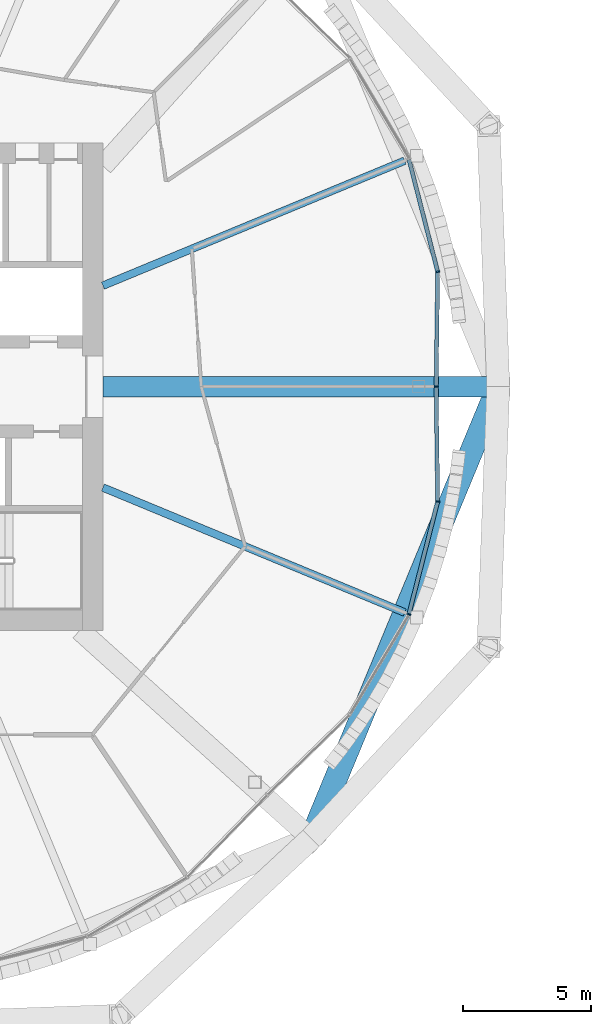
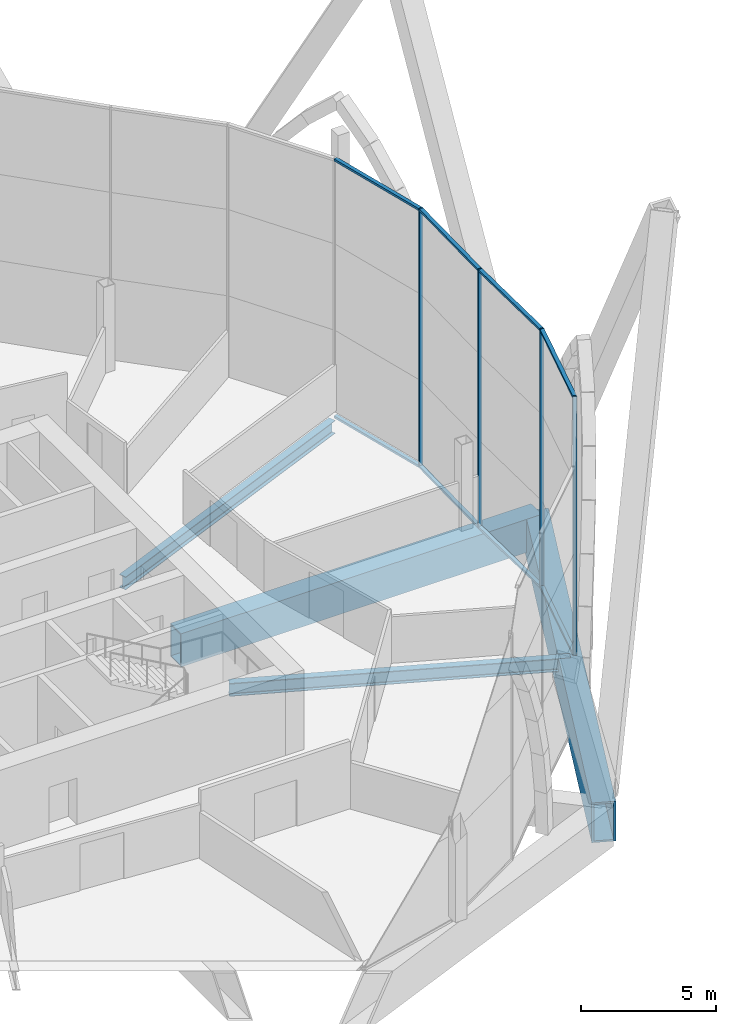
# One storey, part 8 of 37: 12 members, 4 beams, 2 elements without a shape of their own.
"""IFC4 building model written with IfcOpenShell, lengths in metres."""

from ifc_helpers import new_model, si_unit, direction, frame, origin, origin_2d, place, context, subcontext, project, spatial, rectangle, hollow_rectangle, i_section, extrude, material, material_profile, profile_set, type_object, element, aggregate, save


model = new_model("IFC4")

# Units and contexts
model_context = context("Model", 3, precision=1e-05, world=origin(), true_north=direction((0.0, 1.0)))
body_context = subcontext(model_context, "Body", "Model", "MODEL_VIEW")
ifc_project = project(units=[si_unit("LENGTHUNIT", "METRE"), si_unit("AREAUNIT", "SQUARE_METRE"), si_unit("VOLUMEUNIT", "CUBIC_METRE"), si_unit("PLANEANGLEUNIT", "RADIAN"), si_unit("MASSUNIT", "GRAM", prefix="KILO")], contexts=[model_context])

# Site, building, storey
site_placement = place(None, origin())
site = spatial("IfcSite", under=ifc_project, at=site_placement, CompositionType="ELEMENT")
building_placement = place(site_placement, origin())
building = spatial("IfcBuilding", under=site, at=building_placement, Name="Ogive Gate Towers", CompositionType="ELEMENT")
storey_placement = place(building_placement, frame((0.0, 0.0, 32.39990234375)))
storey = spatial("IfcBuildingStorey", under=building, at=storey_placement, Name="L06", CompositionType="ELEMENT", Elevation=32.39990234375)

# Beams
ifc_material_1 = material(Name="Steel SM460", Category="steel")
ifc_material_profile_1 = material_profile(ifc_material_1, hollow_rectangle(XDim=0.89990234375, YDim=1.800048828125, WallThickness=0.080078125, at=origin_2d()), Name="BX 1800x900x80")
ifc_profile_set_1 = profile_set([ifc_material_profile_1], Name="Steel SM460")
beam_type_1 = type_object("IfcBeamType", Name="Edge girder BX 1800x900x80", PredefinedType="BEAM", material=ifc_profile_set_1)
beam_1_placement = place(storey_placement, frame((-18.385986328125, -17.614013671875, -1.199951171875), z_axis=(0.382680526191, 0.923880736283, 0.0), x_axis=(-0.923880736283, 0.382680526191, 0.0)))
element("IfcBeam", 1, at=beam_1_placement, inside=storey, type_object=beam_type_1, Name="T1/L06/SBM019", PredefinedType="BEAM", context=body_context, shape_type="SweptSolid", body=[
    extrude(hollow_rectangle(XDim=0.89990234375, YDim=1.800048828125, WallThickness=0.080078125, at=origin_2d()), origin(), (0.0, 0.0, 1.0), 19.065185546875),
])
ifc_material_2 = material(Name="Steel SM355", Category="steel")
ifc_material_profile_2 = material_profile(ifc_material_2, i_section(OverallWidth=0.300048828125, OverallDepth=0.590087890625, WebThickness=0.012939453125, FlangeThickness=0.02490234375, FilletRadius=0.027099609375, at=origin_2d()), Name="HE 600 A")
ifc_profile_set_2 = profile_set([ifc_material_profile_2], Name="Steel SM355")
beam_type_2 = type_object("IfcBeamType", Name="Radial floor beam HE 600 A", PredefinedType="BEAM", material=ifc_profile_set_2)
for number, where, z_axis, x_axis, name in (
    (2, (-26.5, -3.93505859375, -0.594970703125), (0.923876595354, -0.382690523214, 0.0), (0.382690523214, 0.923876595354, 0.0), "T1/L06/SBM006"),
    (3, (-26.5, 3.93505859375, -0.594970703125), (0.923876595354, 0.382690523214, 0.0), (-0.382690523214, 0.923876595354, 0.0), "T1/L06/SBM008"),
):
    element("IfcBeam", number, at=place(storey_placement, frame(where, z_axis=z_axis, x_axis=x_axis)), inside=storey, type_object=beam_type_2, Name=name, PredefinedType="BEAM", context=body_context, shape_type="SweptSolid", body=[
        extrude(i_section(OverallWidth=0.300048828125, OverallDepth=0.590087890625, WebThickness=0.012939453125, FlangeThickness=0.02490234375, FilletRadius=0.027099609375, at=origin_2d()), origin(), (0.0, 0.0, 1.0), 12.731201171875),
    ])

# Curtain wall, members
ifc_material_3 = material(Name="Pale metal aluminium", Category="aluminium")
curtain_wall_type = type_object("IfcCurtainWallType", Name="Tower unitised wall, low zone", PredefinedType="NOTDEFINED", material=ifc_material_3)
curtain_wall_1_placement = place(storey_placement, origin())
curtain_wall_1 = element("IfcCurtainWall", 4, at=curtain_wall_1_placement, inside=storey, type_object=curtain_wall_type, Name="CW1 T1 ECW01", PredefinedType="NOTDEFINED")
ifc_material_profile_3 = material_profile(ifc_material_3, rectangle(XDim=0.159912109375, YDim=0.06005859375, at=origin_2d()), Name="60 x 160 aluminium box")
ifc_profile_set_3 = profile_set([ifc_material_profile_3], Name="Pale metal aluminium")
member_type_1 = type_object("IfcMemberType", Name="Tower unitised wall, low zone mullion 60 x 160", PredefinedType="MULLION", material=ifc_profile_set_3)
member_1_placement = place(storey_placement, frame((-13.510009765625, 0.000244140625, -0.2998046875), z_axis=(0.0, 0.0, 1.0), x_axis=(0.999910399799, -0.013386275544, 0.0)))
member_1 = element("IfcMember", 5, at=member_1_placement, type_object=member_type_1, Name="CW1 mullion", PredefinedType="MULLION", context=body_context, shape_type="SweptSolid", body=[
    extrude(rectangle(XDim=0.159912109375, YDim=0.06005859375, at=origin_2d()), origin(), (0.0, 0.0, 1.0), 11.699951171875),
])
member_2_placement = place(storey_placement, frame((-13.449951171875, 4.47900390625, -0.2998046875), z_axis=(0.0, 0.0, 1.0), x_axis=(0.992984094708, 0.118247992189, 0.0)))
member_2 = element("IfcMember", 6, at=member_2_placement, type_object=member_type_1, Name="CW1 mullion", PredefinedType="MULLION", context=body_context, shape_type="SweptSolid", body=[
    extrude(rectangle(XDim=0.159912109375, YDim=0.06005859375, at=origin_2d()), origin(), (0.0, 0.0, 1.0), 11.699951171875),
])

curtain_wall_2_placement = place(storey_placement, origin())
curtain_wall_2 = element("IfcCurtainWall", 7, at=curtain_wall_2_placement, inside=storey, type_object=curtain_wall_type, Name="CW1 T1 ECW08", PredefinedType="NOTDEFINED")
member_3_placement = place(storey_placement, frame((-14.57421875, -8.874755859375, -0.2998046875), z_axis=(0.0, 0.0, 1.0), x_axis=(0.923879532511, -0.382683432365, 0.0)))
member_3 = element("IfcMember", 8, at=member_3_placement, type_object=member_type_1, Name="CW1 mullion", PredefinedType="MULLION", context=body_context, shape_type="SweptSolid", body=[
    extrude(rectangle(XDim=0.159912109375, YDim=0.06005859375, at=origin_2d()), origin(), (0.0, 0.0, 1.0), 11.699951171875),
])
member_4_placement = place(storey_placement, frame((-13.449951171875, -4.47900390625, -0.2998046875), z_axis=(0.0, 0.0, 1.0), x_axis=(0.992984094708, -0.118247992189, 0.0)))
member_4 = element("IfcMember", 9, at=member_4_placement, type_object=member_type_1, Name="CW1 mullion", PredefinedType="MULLION", context=body_context, shape_type="SweptSolid", body=[
    extrude(rectangle(XDim=0.159912109375, YDim=0.06005859375, at=origin_2d()), origin(), (0.0, 0.0, 1.0), 11.699951171875),
])

# Member
ifc_material_profile_4 = material_profile(ifc_material_3, rectangle(XDim=0.159912109375, YDim=0.10009765625, at=origin_2d()), Name="100 x 160 aluminium box")
ifc_profile_set_4 = profile_set([ifc_material_profile_4], Name="Pale metal aluminium")
member_type_2 = type_object("IfcMemberType", Name="Tower unitised wall, low zone transom 100 x 160", PredefinedType="USERDEFINED", material=ifc_profile_set_4)
member_5_placement = place(storey_placement, frame((-13.509521484375, 0.0302734375, 11.35009765625), z_axis=(0.013361590097, 0.99991072997, 0.0), x_axis=(-0.99991072997, 0.013361590097, 0.0)))
member_5 = element("IfcMember", 10, at=member_5_placement, type_object=member_type_2, Name="CW1 transom", ObjectType="TRANSOM", PredefinedType="USERDEFINED", context=body_context, shape_type="SweptSolid", body=[
    extrude(rectangle(XDim=0.159912109375, YDim=0.10009765625, at=origin_2d()), origin(), (0.0, 0.0, 1.0), 4.421875),
])

member_6_placement = place(storey_placement, frame((-13.509521484375, 0.0302734375, -0.25), z_axis=(0.013361590097, 0.99991072997, 0.0), x_axis=(-0.99991072997, 0.013361590097, 0.0)))
member_6 = element("IfcMember", 11, at=member_6_placement, type_object=member_type_2, Name="CW1 transom", ObjectType="TRANSOM", PredefinedType="USERDEFINED", context=body_context, shape_type="SweptSolid", body=[
    extrude(rectangle(XDim=0.159912109375, YDim=0.10009765625, at=origin_2d()), origin(), (0.0, 0.0, 1.0), 4.421875),
])

member_7_placement = place(storey_placement, frame((-13.456787109375, 4.505615234375, 11.35009765625), z_axis=(-0.24781185132, 0.968808178302, 0.0), x_axis=(-0.968808178302, -0.24781185132, 0.0)))
member_7 = element("IfcMember", 12, at=member_7_placement, type_object=member_type_2, Name="CW1 transom", ObjectType="TRANSOM", PredefinedType="USERDEFINED", context=body_context, shape_type="SweptSolid", body=[
    extrude(rectangle(XDim=0.159912109375, YDim=0.10009765625, at=origin_2d()), origin(), (0.0, 0.0, 1.0), 4.482666015625),
])

member_8_placement = place(storey_placement, frame((-13.456787109375, 4.505615234375, -0.25), z_axis=(-0.24781185132, 0.968808178302, 0.0), x_axis=(-0.968808178302, -0.24781185132, 0.0)))
member_8 = element("IfcMember", 13, at=member_8_placement, type_object=member_type_2, Name="CW1 transom", ObjectType="TRANSOM", PredefinedType="USERDEFINED", context=body_context, shape_type="SweptSolid", body=[
    extrude(rectangle(XDim=0.159912109375, YDim=0.10009765625, at=origin_2d()), origin(), (0.0, 0.0, 1.0), 4.482666015625),
])

aggregate(curtain_wall_1, [member_1, member_2, member_5, member_6, member_7, member_8])

member_9_placement = place(storey_placement, frame((-14.567626953125, -8.848388671875, 11.35009765625), z_axis=(0.24781185132, 0.968808178302, 0.0), x_axis=(-0.968808178302, 0.24781185132, 0.0)))
member_9 = element("IfcMember", 14, at=member_9_placement, type_object=member_type_2, Name="CW1 transom", ObjectType="TRANSOM", PredefinedType="USERDEFINED", context=body_context, shape_type="SweptSolid", body=[
    extrude(rectangle(XDim=0.159912109375, YDim=0.10009765625, at=origin_2d()), origin(), (0.0, 0.0, 1.0), 4.482666015625),
])

member_10_placement = place(storey_placement, frame((-14.567626953125, -8.848388671875, -0.25), z_axis=(0.24781185132, 0.968808178302, 0.0), x_axis=(-0.968808178302, 0.24781185132, 0.0)))
member_10 = element("IfcMember", 15, at=member_10_placement, type_object=member_type_2, Name="CW1 transom", ObjectType="TRANSOM", PredefinedType="USERDEFINED", context=body_context, shape_type="SweptSolid", body=[
    extrude(rectangle(XDim=0.159912109375, YDim=0.10009765625, at=origin_2d()), origin(), (0.0, 0.0, 1.0), 4.482666015625),
])

member_11_placement = place(storey_placement, frame((-13.450439453125, -4.45166015625, 11.35009765625), z_axis=(-0.013361590097, 0.99991072997, 0.0), x_axis=(-0.99991072997, -0.013361590097, 0.0)))
member_11 = element("IfcMember", 16, at=member_11_placement, type_object=member_type_2, Name="CW1 transom", ObjectType="TRANSOM", PredefinedType="USERDEFINED", context=body_context, shape_type="SweptSolid", body=[
    extrude(rectangle(XDim=0.159912109375, YDim=0.10009765625, at=origin_2d()), origin(), (0.0, 0.0, 1.0), 4.421875),
])

member_12_placement = place(storey_placement, frame((-13.450439453125, -4.45166015625, -0.25), z_axis=(-0.013361590097, 0.99991072997, 0.0), x_axis=(-0.99991072997, -0.013361590097, 0.0)))
member_12 = element("IfcMember", 17, at=member_12_placement, type_object=member_type_2, Name="CW1 transom", ObjectType="TRANSOM", PredefinedType="USERDEFINED", context=body_context, shape_type="SweptSolid", body=[
    extrude(rectangle(XDim=0.159912109375, YDim=0.10009765625, at=origin_2d()), origin(), (0.0, 0.0, 1.0), 4.421875),
])

aggregate(curtain_wall_2, [member_3, member_4, member_9, member_10, member_11, member_12])

# Beam
ifc_material_profile_5 = material_profile(ifc_material_1, hollow_rectangle(XDim=0.800048828125, YDim=1.5, WallThickness=0.06005859375, at=origin_2d()), Name="BX 1500x800x60")
ifc_profile_set_5 = profile_set([ifc_material_profile_5], Name="Steel SM460")
beam_type_3 = type_object("IfcBeamType", Name="Transfer radial beam BX 1500x800x60", PredefinedType="BEAM", material=ifc_profile_set_5)
beam_2_placement = place(storey_placement, frame((-26.5, 0.0, -1.0498046875), z_axis=(1.0, 0.0, 0.0), x_axis=(0.0, 1.0, 0.0)))
element("IfcBeam", 18, at=beam_2_placement, inside=storey, type_object=beam_type_3, Name="T1/L06/SBM007", PredefinedType="BEAM", context=body_context, shape_type="SweptSolid", body=[
    extrude(hollow_rectangle(XDim=0.800048828125, YDim=1.5, WallThickness=0.06005859375, at=origin_2d()), origin(), (0.0, 0.0, 1.0), 15.409912109375),
])

save(model, "model.ifc")
